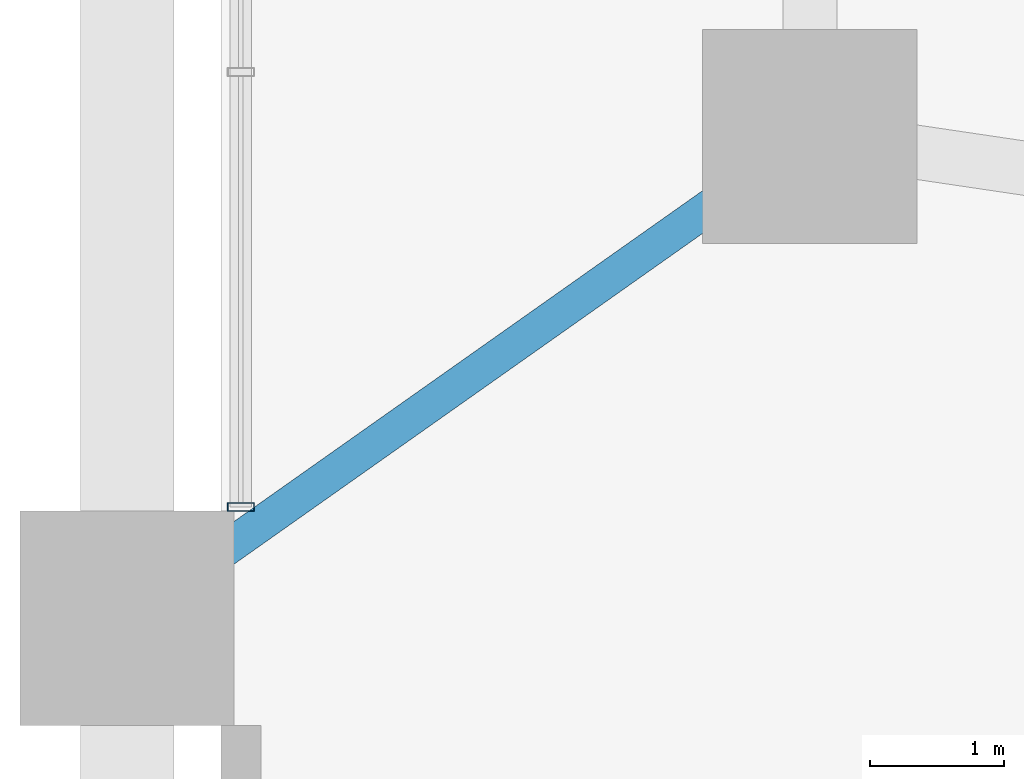
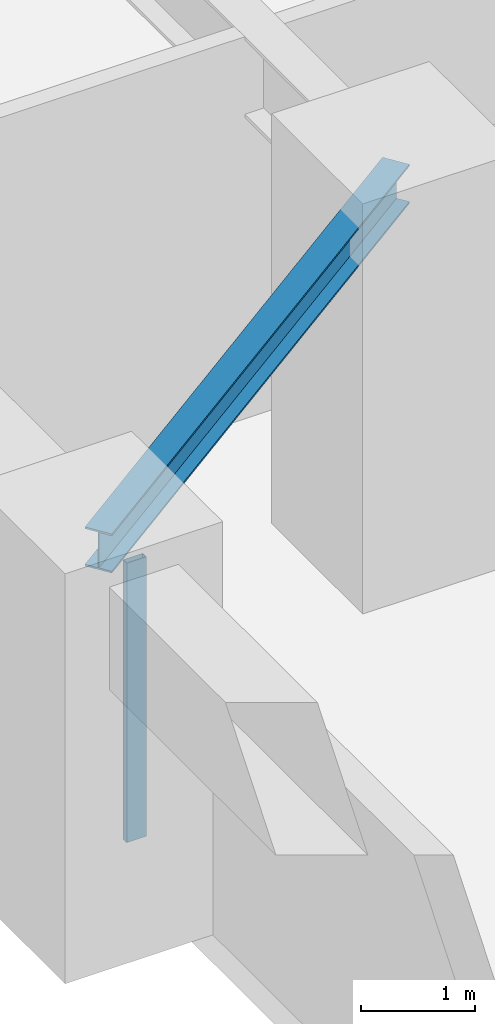
# One storey, part 2 of 16: 1 beam, 1 member, 1 element without a shape of its own.
"""IFC4 building model written with IfcOpenShell, lengths in metres."""

from ifc_helpers import new_model, si_unit, direction, frame, origin, origin_2d, place, context, subcontext, project, spatial, hollow_rectangle, i_section, extrude, source, transform, mapped, material, layer, layer_set, material_profile, profile_set, type_object, element, aggregate, save


model = new_model("IFC4")

# Units and contexts
model_context = context("Model", 3, precision=1e-05, world=origin(), true_north=direction((0.0, 1.0)))
body_context = subcontext(model_context, "Body", "Model", "MODEL_VIEW")
ifc_project = project(units=[si_unit("LENGTHUNIT", "METRE"), si_unit("AREAUNIT", "SQUARE_METRE"), si_unit("VOLUMEUNIT", "CUBIC_METRE"), si_unit("PLANEANGLEUNIT", "RADIAN"), si_unit("MASSUNIT", "GRAM", prefix="KILO")], contexts=[model_context])

# Site, building, storey
site_placement = place(None, origin())
site = spatial("IfcSite", under=ifc_project, at=site_placement, CompositionType="ELEMENT")
building_placement = place(site_placement, origin())
building = spatial("IfcBuilding", under=site, at=building_placement, Name="Veraguas Prism Commons", CompositionType="ELEMENT")
storey_placement = place(building_placement, frame((0.0, 0.0, 9.60009765625)))
storey = spatial("IfcBuildingStorey", under=building, at=storey_placement, Name="L02", CompositionType="ELEMENT", Elevation=9.60009765625)

# Beam
ifc_material_1 = material(Name="Steel ASTM A992 Grade 50", Category="steel")
ifc_material_profile_1 = material_profile(ifc_material_1, i_section(OverallWidth=0.260986328125, OverallDepth=0.419921875, WebThickness=0.01171875, FlangeThickness=0.019287109375, at=origin_2d()), Name="W410X114")
ifc_profile_set_1 = profile_set([ifc_material_profile_1], Name="Steel ASTM A992 Grade 50")
beam_type = type_object("IfcBeamType", Name="Lower Floor Joist W410x114", PredefinedType="JOIST", material=ifc_profile_set_1)
beam_placement = place(storey_placement, frame((6.39990234375, 18.60009765625, 3.889892578125), z_axis=(-0.816952688962, -0.576704693927, 0.0), x_axis=(0.576704693927, -0.816952688962, 0.0)))
element("IfcBeam", 1, at=beam_placement, inside=storey, type_object=beam_type, Name="Podium Tie Beam L02-TMT06", PredefinedType="JOIST", context=body_context, shape_type="SweptSolid", body=[
    extrude(i_section(OverallWidth=0.260986328125, OverallDepth=0.419921875, WebThickness=0.01171875, FlangeThickness=0.019287109375, at=origin_2d()), origin(), (0.0, 0.0, 1.0), 6.242431640625),
])

# Curtain wall, member
ifc_material_2 = material(Name="Anodised aluminium EN AW-6063 T6", Category="aluminium")
ifc_layer = layer(ifc_material_2, 0.199951171875, Name="Metro Concourse Structural Glazing", Category="aluminium")
ifc_layer_set = layer_set([ifc_layer], Name="Anodised aluminium EN AW-6063 T6")
curtain_wall_type = type_object("IfcCurtainWallType", Name="Metro Concourse Structural Glazing", PredefinedType="NOTDEFINED", material=ifc_layer_set)
curtain_wall_placement = place(storey_placement, origin())
curtain_wall = element("IfcCurtainWall", 2, at=curtain_wall_placement, inside=storey, type_object=curtain_wall_type, Name="Via Espana Metro Concourse Curtain Wall L02-W02", PredefinedType="NOTDEFINED")
ifc_material_profile_2 = material_profile(ifc_material_2, hollow_rectangle(XDim=0.06494140625, YDim=0.199951171875, WallThickness=0.00390625, at=origin_2d()), Name="AL65X200X4")
ifc_profile_set_2 = profile_set([ifc_material_profile_2], Name="Anodised aluminium EN AW-6063 T6")
member_type = type_object("IfcMemberType", Name="Curtain Wall Mullion Heavy AL 65x200x4", PredefinedType="MULLION", material=ifc_profile_set_2)
shared_shape = source(origin(), body_context, "Body", "SweptSolid", [
    extrude(hollow_rectangle(XDim=0.06494140625, YDim=0.199951171875, WallThickness=0.00390625, at=origin_2d()), origin(), (0.0, 0.0, 1.0), 3.0),
])
member_placement = place(storey_placement, frame((2.14990234375, 15.83251953125, 0.0), z_axis=(0.0, 0.0, 1.0), x_axis=(0.0, -1.0, 0.0)))
member = element("IfcMember", 3, at=member_placement, type_object=member_type, Name="CW-STN Mullion 6", PredefinedType="MULLION", context=body_context, shape_type="MappedRepresentation", body=[
    mapped(shared_shape, transform((0.0, 0.0, 0.0), scale=1.0)),
])
aggregate(curtain_wall, [member])

save(model, "model.ifc")
